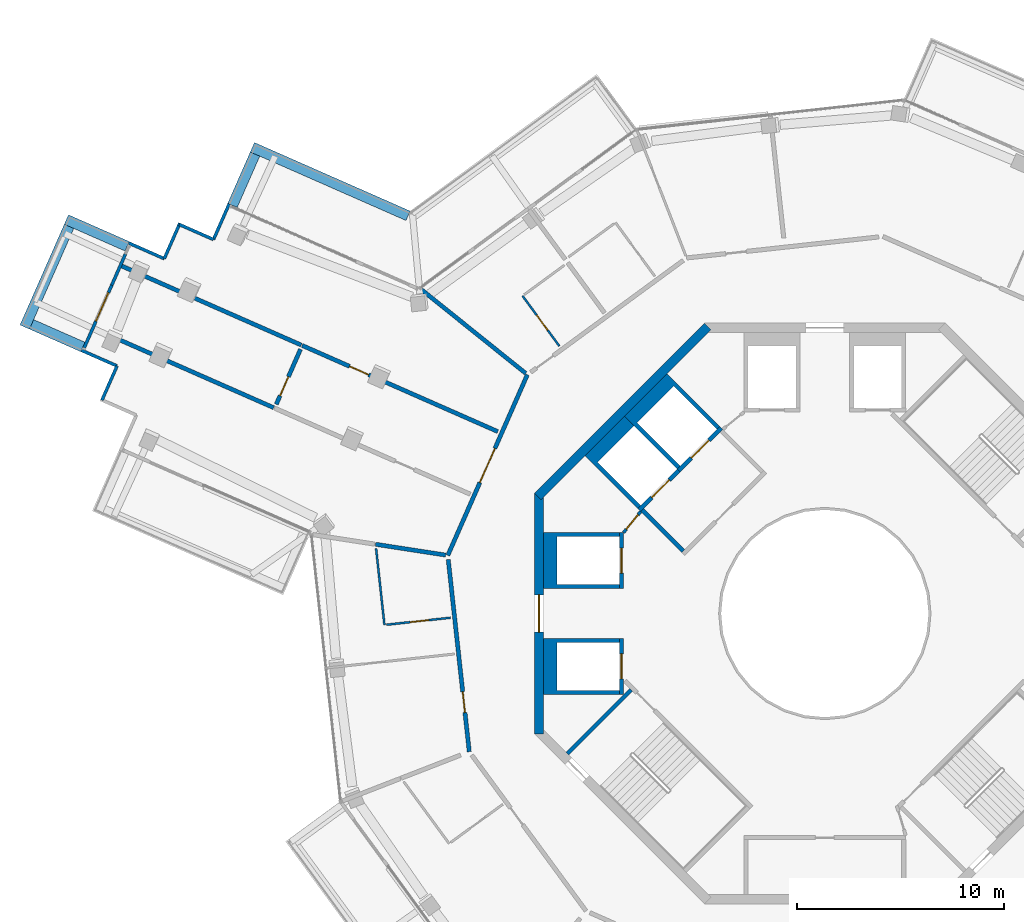
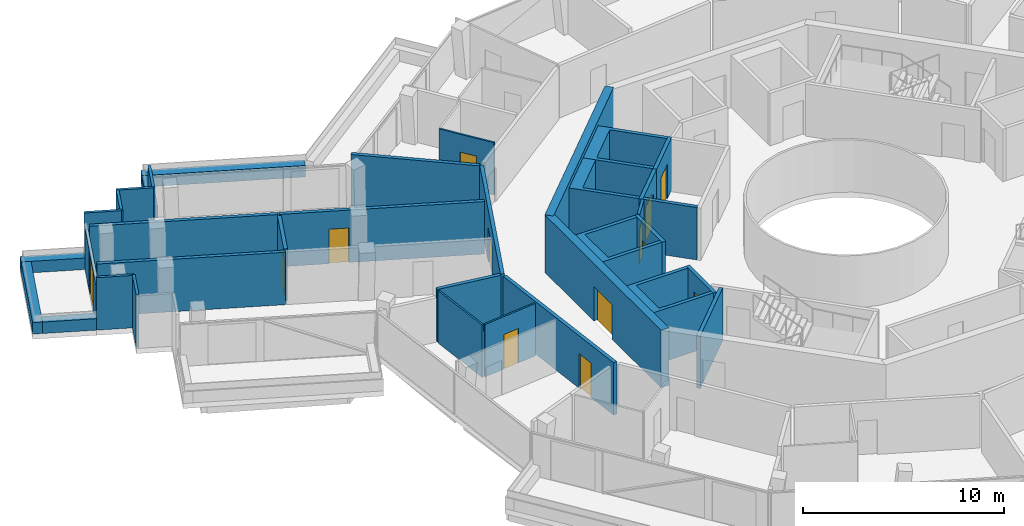
# One storey, part 18 of 24: 37 walls, 13 doors, 13 openings.
"""IFC4 building model written with IfcOpenShell, lengths in metres."""

from ifc_helpers import new_model, si_unit, direction, frame, frame_2d, origin, place, context, subcontext, project, spatial, polyline, rectangle, outline, extrude, material, layer, layer_set, type_object, element, fill, save


model = new_model("IFC4")

# Units and contexts
model_context = context("Model", 3, precision=1e-05, world=origin(), true_north=direction((0.0, 1.0)))
body_context = subcontext(model_context, "Body", "Model", "MODEL_VIEW")
ifc_project = project(units=[si_unit("LENGTHUNIT", "METRE"), si_unit("AREAUNIT", "SQUARE_METRE"), si_unit("VOLUMEUNIT", "CUBIC_METRE"), si_unit("PLANEANGLEUNIT", "RADIAN"), si_unit("MASSUNIT", "GRAM", prefix="KILO")], contexts=[model_context])

# Site, building, storey
site_placement = place(None, origin())
site = spatial("IfcSite", under=ifc_project, at=site_placement, CompositionType="ELEMENT")
building_placement = place(site_placement, origin())
building = spatial("IfcBuilding", under=site, at=building_placement, Name="Verdalira Terraces Hotel", CompositionType="ELEMENT")
storey_placement = place(building_placement, frame((0.0, 0.0, 303.0)))
storey = spatial("IfcBuildingStorey", under=building, at=storey_placement, Name="L75", CompositionType="ELEMENT", Elevation=303.0)

# Walls
ifc_material_1 = material(Name="Concrete C40", Category="concrete")
ifc_layer_1 = layer(ifc_material_1, 0.5)
ifc_layer_set_1 = layer_set([ifc_layer_1], Name="Balcony planter trough with tree")
wall_type_1 = type_object("IfcWallType", Name="Balcony planter trough with tree", PredefinedType="SOLIDWALL", material=ifc_layer_set_1)
wall_1_placement = place(storey_placement, frame((-33.624023, 17.697266, 0.0), z_axis=(0.0, 0.0, 1.0), x_axis=(-0.915228366, 0.402935527, 0.0)))
element("IfcWall", 1, at=wall_1_placement, inside=storey, type_object=wall_type_1, Name="Balcony planter", PredefinedType="SOLIDWALL", context=body_context, shape_type="SweptSolid", body=[
    extrude(rectangle(XDim=3.199219, YDim=0.5, at=frame_2d((1.599609, 0.0))), origin(), (0.0, 0.0, 1.0), 0.699951),
])
wall_2_placement = place(storey_placement, frame((-36.423828, 18.656738, 0.0), z_axis=(0.0, 0.0, 1.0), x_axis=(-0.402917674, -0.915236225, 0.0)))
element("IfcWall", 2, at=wall_2_placement, inside=storey, type_object=wall_type_1, Name="Balcony planter", PredefinedType="SOLIDWALL", context=body_context, shape_type="SweptSolid", body=[
    extrude(rectangle(XDim=5.300049, YDim=0.5, at=frame_2d((2.649902, 0.0))), origin(), (0.0, 0.0, 1.0), 0.699951),
])
wall_3_placement = place(storey_placement, frame((-38.229736, 13.934082, 0.0), z_axis=(0.0, 0.0, 1.0), x_axis=(0.91524566, -0.402896241, 0.0)))
element("IfcWall", 3, at=wall_3_placement, inside=storey, type_object=wall_type_1, Name="Balcony planter", PredefinedType="SOLIDWALL", context=body_context, shape_type="SweptSolid", body=[
    extrude(rectangle(XDim=2.698975, YDim=0.5, at=frame_2d((1.349609, 0.0))), origin(), (0.0, 0.0, 1.0), 0.699951),
])
wall_4_placement = place(storey_placement, frame((-20.085693, 19.167236, 0.0), z_axis=(0.0, 0.0, 1.0), x_axis=(-0.915239046, 0.402911267, 0.0)))
element("IfcWall", 4, at=wall_4_placement, inside=storey, type_object=wall_type_1, Name="Balcony planter", PredefinedType="SOLIDWALL", context=body_context, shape_type="SweptSolid", body=[
    extrude(rectangle(XDim=8.197754, YDim=0.5, at=frame_2d((4.098877, 0.0))), origin(), (0.0, 0.0, 1.0), 0.699951),
])
wall_5_placement = place(storey_placement, frame((-27.460449, 22.140625, 0.0), z_axis=(0.0, 0.0, 1.0), x_axis=(-0.402896241, -0.91524566, 0.0)))
element("IfcWall", 5, at=wall_5_placement, inside=storey, type_object=wall_type_1, Name="Balcony planter", PredefinedType="SOLIDWALL", context=body_context, shape_type="SweptSolid", body=[
    extrude(rectangle(XDim=2.698975, YDim=0.5, at=frame_2d((1.349609, 0.0))), origin(), (0.0, 0.0, 1.0), 0.699951),
])
ifc_material_2 = material(Name="Moisture-resistant gypsum board partition")
ifc_layer_2 = layer(ifc_material_2, 0.10009765625)
ifc_layer_set_2 = layer_set([ifc_layer_2], Name="Bathroom partition 100 mm")
wall_type_2 = type_object("IfcWallType", Name="Bathroom partition 100 mm", PredefinedType="PARTITIONING", material=ifc_layer_set_2)
wall_6_placement = place(storey_placement, frame((-21.626709, 3.130127, 0.0), z_axis=(0.0, 0.0, 1.0), x_axis=(0.108687919, -0.994075921, 0.0)))
element("IfcWall", 6, at=wall_6_placement, inside=storey, type_object=wall_type_2, Name="Bathroom partition", PredefinedType="PARTITIONING", context=body_context, shape_type="SweptSolid", body=[
    extrude(rectangle(XDim=3.704102, YDim=0.100098, at=frame_2d((1.852051, 0.0))), origin(), (0.0, 0.0, 1.0), 3.189941),
])

# Wall, opening, door
wall_7_placement = place(storey_placement, frame((-21.124756, -0.541016, 0.0), z_axis=(0.0, 0.0, 1.0), x_axis=(0.994076213, 0.108685246, 0.0)))
wall_7 = element("IfcWall", 7, at=wall_7_placement, inside=storey, type_object=wall_type_2, Name="Bathroom partition", PredefinedType="PARTITIONING", context=body_context, shape_type="SweptSolid", body=[
    extrude(rectangle(XDim=3.099854, YDim=0.100098, at=frame_2d((1.549805, 0.0))), origin(), (0.0, 0.0, 1.0), 3.189941),
])
opening_1_placement = place(wall_7_placement, frame((1.149902, 0.0, 0.0)))
opening_1 = element("IfcOpeningElement", 8, at=opening_1_placement, cuts=wall_7, Name="Opening L75-107", PredefinedType="OPENING", context=body_context, shape_type="SweptSolid", body=[
    extrude(rectangle(XDim=0.899902, YDim=2.100098, at=frame_2d((0.449951, 1.050049))), frame((0.0, 0.060059, 0.0), z_axis=(0.0, -1.0, 0.0), x_axis=(1.0, 0.0, 0.0)), (0.0, 0.0, 1.0), 0.120117),
])
ifc_material_3 = material(Name="Timber door", Category="wood")
door_type_1 = type_object("IfcDoorType", Name="Bathroom door 900 x 2100", OperationType="NOTDEFINED", PredefinedType="DOOR", material=ifc_material_3)
door_1_placement = place(opening_1_placement, origin())
door_1 = element("IfcDoor", 9, at=door_1_placement, inside=storey, type_object=door_type_1, Name="Bathroom door 7502", OperationType="SINGLE_SWING_LEFT", OverallHeight=2.10009765625, OverallWidth=0.89990234375, PredefinedType="DOOR", context=body_context, shape_type="SweptSolid", body=[
    extrude(rectangle(XDim=0.899902, YDim=2.100098, at=frame_2d((0.449951, 1.050049))), frame((0.0, 0.024902, 0.0), z_axis=(0.0, -1.0, 0.0), x_axis=(1.0, 0.0, 0.0)), (0.0, 0.0, 1.0), 0.050049),
])
fill(opening_1, door_1)

wall_8_placement = place(storey_placement, frame((-14.567627, 15.307617, 0.0), z_axis=(0.0, 0.0, 1.0), x_axis=(0.591187235, -0.806534347, 0.0)))
wall_8 = element("IfcWall", 10, at=wall_8_placement, inside=storey, type_object=wall_type_2, Name="Bathroom partition", PredefinedType="PARTITIONING", context=body_context, shape_type="SweptSolid", body=[
    extrude(rectangle(XDim=2.999756, YDim=0.100098, at=frame_2d((1.5, 0.0))), origin(), (0.0, 0.0, 1.0), 3.189941),
])
opening_2_placement = place(wall_8_placement, frame((1.149902, 0.0, 0.0)))
opening_2 = element("IfcOpeningElement", 11, at=opening_2_placement, cuts=wall_8, Name="Opening L75-133", PredefinedType="OPENING", context=body_context, shape_type="SweptSolid", body=[
    extrude(rectangle(XDim=0.899902, YDim=2.100098, at=frame_2d((0.449951, 1.050049))), frame((0.0, 0.060059, 0.0), z_axis=(0.0, -1.0, 0.0), x_axis=(1.0, 0.0, 0.0)), (0.0, 0.0, 1.0), 0.120117),
])
door_2_placement = place(opening_2_placement, origin())
door_2 = element("IfcDoor", 12, at=door_2_placement, inside=storey, type_object=door_type_1, Name="Bathroom door 7513", OperationType="SINGLE_SWING_LEFT", OverallHeight=2.10009765625, OverallWidth=0.89990234375, PredefinedType="DOOR", context=body_context, shape_type="SweptSolid", body=[
    extrude(rectangle(XDim=0.899902, YDim=2.100098, at=frame_2d((0.449951, 1.050049))), frame((0.0, 0.024902, 0.0), z_axis=(0.0, -1.0, 0.0), x_axis=(1.0, 0.0, 0.0)), (0.0, 0.0, 1.0), 0.050049),
])
fill(opening_2, door_2)

# Wall
ifc_material_4 = material(Name="Concrete C50", Category="concrete")
ifc_layer_3 = layer(ifc_material_4, 0.199951171875)
ifc_layer_set_3 = layer_set([ifc_layer_3], Name="Core RC wall 200 C50")
wall_type_3 = type_object("IfcWallType", Name="Core RC wall 200 C50", PredefinedType="SOLIDWALL", material=ifc_layer_set_3)
wall_9_placement = place(storey_placement, origin())
element("IfcWall", 13, at=wall_9_placement, inside=storey, type_object=wall_type_3, Name="L75 shaft wall W1", PredefinedType="SOLIDWALL", context=body_context, shape_type="SweptSolid", body=[
    extrude(outline(polyline([(-13.550049, 3.899902), (-9.899902, 3.899902), (-9.899902, 3.699951), (-12.899902, 3.699951), (-12.899902, 1.399902), (-9.899902, 1.399902), (-9.899902, 1.199951), (-13.550049, 1.199951), (-13.550049, 3.899902)])), origin(), (0.0, 0.0, 1.0), 3.189941),
])

# Wall, opening, door
wall_10_placement = place(storey_placement, frame((-9.800049, 1.199951, 0.0), z_axis=(0.0, 0.0, 1.0), x_axis=(0.0, 1.0, 0.0)))
wall_10 = element("IfcWall", 14, at=wall_10_placement, inside=storey, type_object=wall_type_3, Name="L75 shaft front wall W1", PredefinedType="SOLIDWALL", context=body_context, shape_type="SweptSolid", body=[
    extrude(rectangle(XDim=2.699951, YDim=0.199951, at=frame_2d((1.350098, 0.0))), origin(), (0.0, 0.0, 1.0), 3.189941),
])
opening_3_placement = place(wall_10_placement, frame((0.75, 0.0, 0.0)))
opening_3 = element("IfcOpeningElement", 15, at=opening_3_placement, cuts=wall_10, Name="Opening LD-L75-806", PredefinedType="OPENING", context=body_context, shape_type="SweptSolid", body=[
    extrude(rectangle(XDim=1.199951, YDim=2.100098, at=frame_2d((0.600098, 1.050049))), frame((0.0, 0.109863, 0.0), z_axis=(0.0, -1.0, 0.0), x_axis=(1.0, 0.0, 0.0)), (0.0, 0.0, 1.0), 0.219971),
])
ifc_material_5 = material(Name="Stainless steel", Category="steel")
door_type_2 = type_object("IfcDoorType", Name="Landing door 1200 x 2100", OperationType="NOTDEFINED", PredefinedType="DOOR", material=ifc_material_5)
door_3_placement = place(opening_3_placement, origin())
door_3 = element("IfcDoor", 16, at=door_3_placement, inside=storey, type_object=door_type_2, Name="Lift landing door HR5 L75", OperationType="DOUBLE_DOOR_SLIDING", OverallHeight=2.10009765625, OverallWidth=1.199951171875, PredefinedType="DOOR", context=body_context, shape_type="SweptSolid", body=[
    extrude(rectangle(XDim=1.199951, YDim=2.100098, at=frame_2d((0.600098, 1.050049))), frame((0.0, 0.024902, 0.0), z_axis=(0.0, -1.0, 0.0), x_axis=(1.0, 0.0, 0.0)), (0.0, 0.0, 1.0), 0.050049),
])
fill(opening_3, door_3)

# Wall
wall_11_placement = place(storey_placement, origin())
element("IfcWall", 17, at=wall_11_placement, inside=storey, type_object=wall_type_3, Name="L75 shaft wall W2", PredefinedType="SOLIDWALL", context=body_context, shape_type="SweptSolid", body=[
    extrude(outline(polyline([(-13.550049, -3.899902), (-13.550049, -1.199951), (-9.899902, -1.199951), (-9.899902, -1.399902), (-12.899902, -1.399902), (-12.899902, -3.699951), (-9.899902, -3.699951), (-9.899902, -3.899902), (-13.550049, -3.899902)])), origin(), (0.0, 0.0, 1.0), 3.189941),
])

# Wall, opening, door
wall_12_placement = place(storey_placement, frame((-9.800049, -1.199951, 0.0), z_axis=(0.0, 0.0, 1.0), x_axis=(0.0, -1.0, 0.0)))
wall_12 = element("IfcWall", 18, at=wall_12_placement, inside=storey, type_object=wall_type_3, Name="L75 shaft front wall W2", PredefinedType="SOLIDWALL", context=body_context, shape_type="SweptSolid", body=[
    extrude(rectangle(XDim=2.699951, YDim=0.199951, at=frame_2d((1.350098, 0.0))), origin(), (0.0, 0.0, 1.0), 3.189941),
])
opening_4_placement = place(wall_12_placement, frame((0.75, 0.0, 0.0)))
opening_4 = element("IfcOpeningElement", 19, at=opening_4_placement, cuts=wall_12, Name="Opening LD-L75-807", PredefinedType="OPENING", context=body_context, shape_type="SweptSolid", body=[
    extrude(rectangle(XDim=1.199951, YDim=2.100098, at=frame_2d((0.600098, 1.050049))), frame((0.0, 0.109863, 0.0), z_axis=(0.0, -1.0, 0.0), x_axis=(1.0, 0.0, 0.0)), (0.0, 0.0, 1.0), 0.219971),
])
door_4_placement = place(opening_4_placement, origin())
door_4 = element("IfcDoor", 20, at=door_4_placement, inside=storey, type_object=door_type_2, Name="Lift landing door HR6 L75", OperationType="DOUBLE_DOOR_SLIDING", OverallHeight=2.10009765625, OverallWidth=1.199951171875, PredefinedType="DOOR", context=body_context, shape_type="SweptSolid", body=[
    extrude(rectangle(XDim=1.199951, YDim=2.100098, at=frame_2d((0.600098, 1.050049))), frame((0.0, 0.024902, 0.0), z_axis=(0.0, -1.0, 0.0), x_axis=(1.0, 0.0, 0.0)), (0.0, 0.0, 1.0), 0.050049),
])
fill(opening_4, door_4)

# Wall
wall_13_placement = place(storey_placement, origin())
element("IfcWall", 21, at=wall_13_placement, inside=storey, type_object=wall_type_3, Name="L75 shaft wall F1", PredefinedType="SOLIDWALL", context=body_context, shape_type="SweptSolid", body=[
    extrude(outline(polyline([(-9.6521, 9.510498), (-7.601318, 11.561279), (-5.055908, 9.015625), (-5.197266, 8.874268), (-7.283203, 10.960205), (-9.051025, 9.192383), (-6.965088, 7.106445), (-7.106445, 6.965088), (-9.6521, 9.510498)])), origin(), (0.0, 0.0, 1.0), 3.189941),
])

# Wall, opening, door
wall_14_placement = place(storey_placement, frame((-4.985107, 8.944824, 0.0), z_axis=(0.0, 0.0, 1.0), x_axis=(-0.707106781, -0.707106781, 0.0)))
wall_14 = element("IfcWall", 22, at=wall_14_placement, inside=storey, type_object=wall_type_3, Name="L75 shaft front wall F1", PredefinedType="SOLIDWALL", context=body_context, shape_type="SweptSolid", body=[
    extrude(rectangle(XDim=2.899902, YDim=0.199951, at=frame_2d((1.449951, 0.0))), origin(), (0.0, 0.0, 1.0), 3.189941),
])
opening_5_placement = place(wall_14_placement, frame((0.850098, 0.0, 0.0)))
opening_5 = element("IfcOpeningElement", 23, at=opening_5_placement, cuts=wall_14, Name="Opening LD-L75-808", PredefinedType="OPENING", context=body_context, shape_type="SweptSolid", body=[
    extrude(rectangle(XDim=1.199951, YDim=2.100098, at=frame_2d((0.600098, 1.050049))), frame((0.0, 0.109863, 0.0), z_axis=(0.0, -1.0, 0.0), x_axis=(1.0, 0.0, 0.0)), (0.0, 0.0, 1.0), 0.219971),
])
door_5_placement = place(opening_5_placement, origin())
door_5 = element("IfcDoor", 24, at=door_5_placement, inside=storey, type_object=door_type_2, Name="Lift landing door LF11 L75", OperationType="DOUBLE_DOOR_SLIDING", OverallHeight=2.10009765625, OverallWidth=1.199951171875, PredefinedType="DOOR", context=body_context, shape_type="SweptSolid", body=[
    extrude(rectangle(XDim=1.199951, YDim=2.100098, at=frame_2d((0.600098, 1.050049))), frame((0.0, 0.024902, 0.0), z_axis=(0.0, -1.0, 0.0), x_axis=(1.0, 0.0, 0.0)), (0.0, 0.0, 1.0), 0.050049),
])
fill(opening_5, door_5)

# Wall
wall_15_placement = place(storey_placement, origin())
element("IfcWall", 25, at=wall_15_placement, inside=storey, type_object=wall_type_3, Name="L75 shaft wall F2", PredefinedType="SOLIDWALL", context=body_context, shape_type="SweptSolid", body=[
    extrude(outline(polyline([(-11.561279, 7.601318), (-9.6521, 9.510498), (-9.192383, 9.051025), (-10.960205, 7.283203), (-8.874268, 5.197266), (-9.015625, 5.055908), (-11.561279, 7.601318)])), origin(), (0.0, 0.0, 1.0), 3.189941),
])

# Wall, opening, door
wall_16_placement = place(storey_placement, frame((-7.035645, 6.894287, 0.0), z_axis=(0.0, 0.0, 1.0), x_axis=(-0.707106781, -0.707106781, 0.0)))
wall_16 = element("IfcWall", 26, at=wall_16_placement, inside=storey, type_object=wall_type_3, Name="L75 shaft front wall F2", PredefinedType="SOLIDWALL", context=body_context, shape_type="SweptSolid", body=[
    extrude(rectangle(XDim=2.699951, YDim=0.199951, at=frame_2d((1.350098, 0.0))), origin(), (0.0, 0.0, 1.0), 3.189941),
])
opening_6_placement = place(wall_16_placement, frame((0.649902, 0.0, 0.0)))
opening_6 = element("IfcOpeningElement", 27, at=opening_6_placement, cuts=wall_16, Name="Opening LD-L75-809", PredefinedType="OPENING", context=body_context, shape_type="SweptSolid", body=[
    extrude(rectangle(XDim=1.199951, YDim=2.100098, at=frame_2d((0.600098, 1.050049))), frame((0.0, 0.109863, 0.0), z_axis=(0.0, -1.0, 0.0), x_axis=(1.0, 0.0, 0.0)), (0.0, 0.0, 1.0), 0.219971),
])
door_6_placement = place(opening_6_placement, origin())
door_6 = element("IfcDoor", 28, at=door_6_placement, inside=storey, type_object=door_type_2, Name="Lift landing door LF12 L75", OperationType="DOUBLE_DOOR_SLIDING", OverallHeight=2.10009765625, OverallWidth=1.199951171875, PredefinedType="DOOR", context=body_context, shape_type="SweptSolid", body=[
    extrude(rectangle(XDim=1.199951, YDim=2.100098, at=frame_2d((0.600098, 1.050049))), frame((0.0, 0.024902, 0.0), z_axis=(0.0, -1.0, 0.0), x_axis=(1.0, 0.0, 0.0)), (0.0, 0.0, 1.0), 0.050049),
])
fill(opening_6, door_6)

# Walls
wall_17_placement = place(storey_placement, frame((-9.33374, -3.677002, 0.0), z_axis=(0.0, 0.0, 1.0), x_axis=(-0.707106781, -0.707106781, 0.0)))
element("IfcWall", 29, at=wall_17_placement, inside=storey, type_object=wall_type_3, Name="L75 stair ST2 end wall 1", PredefinedType="SOLIDWALL", context=body_context, shape_type="SweptSolid", body=[
    extrude(rectangle(XDim=4.350098, YDim=0.199951, at=frame_2d((2.175049, 0.0))), origin(), (0.0, 0.0, 1.0), 3.189941),
])
wall_18_placement = place(storey_placement, frame((-6.823486, 3.005127, 0.0), z_axis=(0.0, 0.0, 1.0), x_axis=(-0.707106781, 0.707106781, 0.0)))
element("IfcWall", 30, at=wall_18_placement, inside=storey, type_object=wall_type_3, Name="L75 fire lobby wall", PredefinedType="SOLIDWALL", context=body_context, shape_type="SweptSolid", body=[
    extrude(rectangle(XDim=2.800049, YDim=0.199951, at=frame_2d((1.399902, 0.0))), origin(), (0.0, 0.0, 1.0), 3.189941),
])

# Wall, opening, door
ifc_material_6 = material(Name="Gypsum board partition")
ifc_layer_4 = layer(ifc_material_6, 0.14990234375)
ifc_layer_set_4 = layer_set([ifc_layer_4], Name="Core partition 150 mm")
wall_type_4 = type_object("IfcWallType", Name="Core partition 150 mm", PredefinedType="PARTITIONING", material=ifc_layer_set_4)
wall_19_placement = place(storey_placement, frame((-8.874268, 4.914307, 0.0), z_axis=(0.0, 0.0, 1.0), x_axis=(-0.631274009, -0.775559878, 0.0)))
wall_19 = element("IfcWall", 31, at=wall_19_placement, inside=storey, type_object=wall_type_4, Name="Room partition L75", PredefinedType="PARTITIONING", context=body_context, shape_type="SweptSolid", body=[
    extrude(rectangle(XDim=1.307861, YDim=0.149902, at=frame_2d((0.653809, 0.0))), origin(), (0.0, 0.0, 1.0), 3.189941),
])
opening_7_placement = place(wall_19_placement, frame((0.204102, 0.0, 0.0)))
opening_7 = element("IfcOpeningElement", 32, at=opening_7_placement, cuts=wall_19, Name="Opening L75-821", PredefinedType="OPENING", context=body_context, shape_type="SweptSolid", body=[
    extrude(rectangle(XDim=0.899902, YDim=2.100098, at=frame_2d((0.449951, 1.050049))), frame((0.0, 0.084961, 0.0), z_axis=(0.0, -1.0, 0.0), x_axis=(1.0, 0.0, 0.0)), (0.0, 0.0, 1.0), 0.169922),
])
ifc_material_7 = material(Name="Steel fire door", Category="steel")
door_type_3 = type_object("IfcDoorType", Name="Core room door 900 x 2100", OperationType="NOTDEFINED", PredefinedType="DOOR", material=ifc_material_7)
door_7_placement = place(opening_7_placement, origin())
door_7 = element("IfcDoor", 33, at=door_7_placement, inside=storey, type_object=door_type_3, Name="Door L75 room3", OperationType="SINGLE_SWING_LEFT", OverallHeight=2.10009765625, OverallWidth=0.89990234375, PredefinedType="DOOR", context=body_context, shape_type="SweptSolid", body=[
    extrude(rectangle(XDim=0.899902, YDim=2.100098, at=frame_2d((0.449951, 1.050049))), frame((0.0, 0.024902, 0.0), z_axis=(0.0, -1.0, 0.0), x_axis=(1.0, 0.0, 0.0)), (0.0, 0.0, 1.0), 0.050049),
])
fill(opening_7, door_7)

# Wall
ifc_material_8 = material(Name="Concrete C50", Category="concrete")
ifc_layer_5 = layer(ifc_material_8, 0.449951171875)
ifc_layer_set_5 = layer_set([ifc_layer_5], Name="Core wall 450 C50")
wall_type_5 = type_object("IfcWallType", Name="Core wall 450 C50", PredefinedType="SHEAR", material=ifc_layer_set_5)
wall_20_placement = place(storey_placement, frame((-5.639893, 13.84082, 0.0), z_axis=(0.0, 0.0, 1.0), x_axis=(-0.707106781, -0.707106781, 0.0)))
element("IfcWall", 34, at=wall_20_placement, inside=storey, type_object=wall_type_5, Name="Core wall CW-L75-4", PredefinedType="SHEAR", context=body_context, shape_type="SweptSolid", body=[
    extrude(rectangle(XDim=11.5979, YDim=0.449951, at=frame_2d((5.798828, 0.0))), origin(), (0.0, 0.0, 1.0), 3.5),
])

# Wall, opening, door
wall_21_placement = place(storey_placement, frame((-13.774902, 5.799072, 0.0), z_axis=(0.0, 0.0, 1.0), x_axis=(0.0, -1.0, 0.0)))
wall_21 = element("IfcWall", 35, at=wall_21_placement, inside=storey, type_object=wall_type_5, Name="Core wall CW-L75-5", PredefinedType="SHEAR", context=body_context, shape_type="SweptSolid", body=[
    extrude(rectangle(XDim=11.598145, YDim=0.449951, at=frame_2d((5.799072, 0.0))), origin(), (0.0, 0.0, 1.0), 3.5),
])
opening_8_placement = place(wall_21_placement, frame((4.898926, 0.0, 0.0)))
opening_8 = element("IfcOpeningElement", 36, at=opening_8_placement, cuts=wall_21, Name="Opening L75-815", PredefinedType="OPENING", context=body_context, shape_type="SweptSolid", body=[
    extrude(rectangle(XDim=1.800049, YDim=2.100098, at=frame_2d((0.899902, 1.050049))), frame((0.0, 0.234863, 0.0), z_axis=(0.0, -1.0, 0.0), x_axis=(1.0, 0.0, 0.0)), (0.0, 0.0, 1.0), 0.469971),
])
ifc_material_9 = material(Name="Steel fire door", Category="steel")
door_type_4 = type_object("IfcDoorType", Name="Core entry door pair 1800 x 2100", OperationType="NOTDEFINED", PredefinedType="DOOR", material=ifc_material_9)
door_8_placement = place(opening_8_placement, origin())
door_8 = element("IfcDoor", 37, at=door_8_placement, inside=storey, type_object=door_type_4, Name="Core entry door L75 4", OperationType="DOUBLE_DOOR_SINGLE_SWING", OverallHeight=2.10009765625, OverallWidth=1.800048828125, PredefinedType="DOOR", context=body_context, shape_type="SweptSolid", body=[
    extrude(rectangle(XDim=1.800049, YDim=2.100098, at=frame_2d((0.899902, 1.050049))), frame((0.0, 0.024902, 0.0), z_axis=(0.0, -1.0, 0.0), x_axis=(1.0, 0.0, 0.0)), (0.0, 0.0, 1.0), 0.050049),
])
fill(opening_8, door_8)

# Walls
ifc_material_10 = material(Name="Fire-rated gypsum board wall")
ifc_layer_6 = layer(ifc_material_10, 0.199951171875)
ifc_layer_set_6 = layer_set([ifc_layer_6], Name="Demising wall 200 mm")
wall_type_6 = type_object("IfcWallType", Name="Demising wall 200 mm", PredefinedType="SOLIDWALL", material=ifc_layer_set_6)
for number, where, z_axis, x_axis, name in (
    (38, (-35.207764, 13.725098, 0.0), (0.0, 0.0, 1.0), (0.915239186, -0.402910948, 0.0), "Demising wall"),
    (39, (-25.232666, 12.937012, 0.0), (0.0, 0.0, 1.0), (-0.915239186, 0.402910948, 0.0), "Demising wall"),
):
    element("IfcWall", number, at=place(storey_placement, frame(where, z_axis=z_axis, x_axis=x_axis)), inside=storey, type_object=wall_type_6, Name=name, PredefinedType="SOLIDWALL", context=body_context, shape_type="SweptSolid", body=[
        extrude(rectangle(XDim=9.447266, YDim=0.199951, at=frame_2d((4.723633, 0.0))), origin(), (0.0, 0.0, 1.0), 3.189941),
    ])

# Wall, opening, door
wall_22_placement = place(storey_placement, frame((-26.436768, 10.08252, 0.0), z_axis=(0.0, 0.0, 1.0), x_axis=(0.402899548, 0.915244205, 0.0)))
wall_22 = element("IfcWall", 40, at=wall_22_placement, inside=storey, type_object=wall_type_6, Name="Demising wall", PredefinedType="SOLIDWALL", context=body_context, shape_type="SweptSolid", body=[
    extrude(rectangle(XDim=2.897705, YDim=0.199951, at=frame_2d((1.44873, 0.0))), origin(), (0.0, 0.0, 1.0), 3.189941),
])
opening_9_placement = place(wall_22_placement, frame((0.449951, 0.0, 0.0)))
opening_9 = element("IfcOpeningElement", 41, at=opening_9_placement, cuts=wall_22, Name="Opening L75-104", PredefinedType="OPENING", context=body_context, shape_type="SweptSolid", body=[
    extrude(rectangle(XDim=1.0, YDim=2.100098, at=frame_2d((0.5, 1.050049))), frame((0.0, 0.109863, 0.0), z_axis=(0.0, -1.0, 0.0), x_axis=(1.0, 0.0, 0.0)), (0.0, 0.0, 1.0), 0.219971),
])
ifc_material_11 = material(Name="Timber fire door", Category="wood")
door_type_5 = type_object("IfcDoorType", Name="Public room door 1000 x 2100", OperationType="NOTDEFINED", PredefinedType="DOOR", material=ifc_material_11)
door_9_placement = place(opening_9_placement, origin())
door_9 = element("IfcDoor", 42, at=door_9_placement, inside=storey, type_object=door_type_5, Name="Public room door 7501", OperationType="SINGLE_SWING_LEFT", OverallHeight=2.10009765625, OverallWidth=1.0, PredefinedType="DOOR", context=body_context, shape_type="SweptSolid", body=[
    extrude(rectangle(XDim=1.0, YDim=2.100098, at=frame_2d((0.5, 1.050049))), frame((0.0, 0.024902, 0.0), z_axis=(0.0, -1.0, 0.0), x_axis=(1.0, 0.0, 0.0)), (0.0, 0.0, 1.0), 0.050049),
])
fill(opening_9, door_9)

wall_23_placement = place(storey_placement, frame((-25.19043, 12.918701, 0.0), z_axis=(0.0, 0.0, 1.0), x_axis=(0.915234643, -0.402921269, 0.0)))
wall_23 = element("IfcWall", 43, at=wall_23_placement, inside=storey, type_object=wall_type_6, Name="Demising wall", PredefinedType="SOLIDWALL", context=body_context, shape_type="SweptSolid", body=[
    extrude(rectangle(XDim=10.302002, YDim=0.199951, at=frame_2d((5.150879, 0.0))), origin(), (0.0, 0.0, 1.0), 3.189941),
])
opening_10_placement = place(wall_23_placement, frame((2.5, 0.0, 0.0)))
opening_10 = element("IfcOpeningElement", 44, at=opening_10_placement, cuts=wall_23, Name="Opening L75-102", PredefinedType="OPENING", context=body_context, shape_type="SweptSolid", body=[
    extrude(rectangle(XDim=1.0, YDim=2.100098, at=frame_2d((0.5, 1.050049))), frame((0.0, 0.109863, 0.0), z_axis=(0.0, -1.0, 0.0), x_axis=(1.0, 0.0, 0.0)), (0.0, 0.0, 1.0), 0.219971),
])
door_10_placement = place(opening_10_placement, origin())
door_10 = element("IfcDoor", 45, at=door_10_placement, inside=storey, type_object=door_type_5, Name="Public room door 7501", OperationType="SINGLE_SWING_LEFT", OverallHeight=2.10009765625, OverallWidth=1.0, PredefinedType="DOOR", context=body_context, shape_type="SweptSolid", body=[
    extrude(rectangle(XDim=1.0, YDim=2.100098, at=frame_2d((0.5, 1.050049))), frame((0.0, 0.024902, 0.0), z_axis=(0.0, -1.0, 0.0), x_axis=(1.0, 0.0, 0.0)), (0.0, 0.0, 1.0), 0.050049),
])
fill(opening_10, door_10)

# Walls
wall_24_placement = place(storey_placement, frame((-18.272705, 2.815674, 0.0), z_axis=(0.0, 0.0, 1.0), x_axis=(-0.988338647, 0.15227186, 0.0)))
element("IfcWall", 46, at=wall_24_placement, inside=storey, type_object=wall_type_6, Name="Demising wall", PredefinedType="SOLIDWALL", context=body_context, shape_type="SweptSolid", body=[
    extrude(rectangle(XDim=3.418213, YDim=0.199951, at=frame_2d((1.708984, 0.0))), origin(), (0.0, 0.0, 1.0), 3.189941),
])
wall_25_placement = place(storey_placement, frame((-19.466309, 15.628906, 0.0), z_axis=(0.0, 0.0, 1.0), x_axis=(0.779771517, -0.626064199, 0.0)))
element("IfcWall", 47, at=wall_25_placement, inside=storey, type_object=wall_type_6, Name="Demising wall", PredefinedType="SOLIDWALL", context=body_context, shape_type="SweptSolid", body=[
    extrude(rectangle(XDim=6.475586, YDim=0.199951, at=frame_2d((3.237793, 0.0))), origin(), (0.0, 0.0, 1.0), 3.189941),
])

# Wall, opening, door
ifc_material_12 = material(Name="Fire-rated gypsum board wall")
ifc_layer_7 = layer(ifc_material_12, 0.199951171875)
ifc_layer_set_7 = layer_set([ifc_layer_7], Name="Guest corridor wall 200 mm")
wall_type_7 = type_object("IfcWallType", Name="Guest corridor wall 200 mm", PredefinedType="SOLIDWALL", material=ifc_layer_set_7)
wall_26_placement = place(storey_placement, frame((-17.135986, -6.6604, 0.0), z_axis=(0.0, 0.0, 1.0), x_axis=(-0.108697055, 0.994074922, 0.0)))
wall_26 = element("IfcWall", 48, at=wall_26_placement, inside=storey, type_object=wall_type_7, Name="Guest corridor wall", PredefinedType="SOLIDWALL", context=body_context, shape_type="SweptSolid", body=[
    extrude(rectangle(XDim=9.31665, YDim=0.199951, at=frame_2d((4.658203, 0.0))), origin(), (0.0, 0.0, 1.0), 3.189941),
])
opening_11_placement = place(wall_26_placement, frame((1.899902, 0.0, 0.0)))
opening_11 = element("IfcOpeningElement", 49, at=opening_11_placement, cuts=wall_26, Name="Opening L75-105", PredefinedType="OPENING", context=body_context, shape_type="SweptSolid", body=[
    extrude(rectangle(XDim=1.0, YDim=2.100098, at=frame_2d((0.5, 1.050049))), frame((0.0, 0.109863, 0.0), z_axis=(0.0, -1.0, 0.0), x_axis=(1.0, 0.0, 0.0)), (0.0, 0.0, 1.0), 0.219971),
])
ifc_material_13 = material(Name="Timber fire door", Category="wood")
door_type_6 = type_object("IfcDoorType", Name="Guest entry door 1000 x 2100", OperationType="NOTDEFINED", PredefinedType="DOOR", material=ifc_material_13)
door_11_placement = place(opening_11_placement, origin())
door_11 = element("IfcDoor", 50, at=door_11_placement, inside=storey, type_object=door_type_6, Name="Guest entry door 7502", OperationType="SINGLE_SWING_LEFT", OverallHeight=2.10009765625, OverallWidth=1.0, PredefinedType="DOOR", context=body_context, shape_type="SweptSolid", body=[
    extrude(rectangle(XDim=1.0, YDim=2.100098, at=frame_2d((0.5, 1.050049))), frame((0.0, 0.024902, 0.0), z_axis=(0.0, -1.0, 0.0), x_axis=(1.0, 0.0, 0.0)), (0.0, 0.0, 1.0), 0.050049),
])
fill(opening_11, door_11)

wall_27_placement = place(storey_placement, frame((-18.17041, 2.799805, 0.0), z_axis=(0.0, 0.0, 1.0), x_axis=(0.402913126, 0.915238227, 0.0)))
wall_27 = element("IfcWall", 51, at=wall_27_placement, inside=storey, type_object=wall_type_7, Name="Guest corridor wall", PredefinedType="SOLIDWALL", context=body_context, shape_type="SweptSolid", body=[
    extrude(rectangle(XDim=9.516846, YDim=0.199951, at=frame_2d((4.758301, 0.0))), origin(), (0.0, 0.0, 1.0), 3.189941),
])
opening_12_placement = place(wall_27_placement, frame((3.834717, 0.0, 0.0)))
opening_12 = element("IfcOpeningElement", 52, at=opening_12_placement, cuts=wall_27, Name="Opening L75-101", PredefinedType="OPENING", context=body_context, shape_type="SweptSolid", body=[
    extrude(rectangle(XDim=1.800049, YDim=2.100098, at=frame_2d((0.899902, 1.050049))), frame((0.0, 0.109863, 0.0), z_axis=(0.0, -1.0, 0.0), x_axis=(1.0, 0.0, 0.0)), (0.0, 0.0, 1.0), 0.219971),
])
ifc_material_14 = material(Name="Timber fire door", Category="wood")
door_type_7 = type_object("IfcDoorType", Name="Public room double door 1800 x 2100", OperationType="NOTDEFINED", PredefinedType="DOOR", material=ifc_material_14)
door_12_placement = place(opening_12_placement, origin())
door_12 = element("IfcDoor", 53, at=door_12_placement, inside=storey, type_object=door_type_7, Name="Public room double door 7501", OperationType="DOUBLE_DOOR_SINGLE_SWING", OverallHeight=2.10009765625, OverallWidth=1.800048828125, PredefinedType="DOOR", context=body_context, shape_type="SweptSolid", body=[
    extrude(rectangle(XDim=1.800049, YDim=2.100098, at=frame_2d((0.899902, 1.050049))), frame((0.0, 0.024902, 0.0), z_axis=(0.0, -1.0, 0.0), x_axis=(1.0, 0.0, 0.0)), (0.0, 0.0, 1.0), 0.050049),
])
fill(opening_12, door_12)

# Walls
ifc_material_15 = material(Name="Terracotta cladding", Category="masonry")
ifc_layer_8 = layer(ifc_material_15, 0.14990234375)
ifc_layer_set_8 = layer_set([ifc_layer_8], Name="Terracotta clad wall 150")
wall_type_8 = type_object("IfcWallType", Name="Terracotta clad wall 150", PredefinedType="SOLIDWALL", material=ifc_layer_set_8)
wall_28_placement = place(storey_placement, frame((-28.708496, 19.73999, 0.0), z_axis=(0.0, 0.0, 1.0), x_axis=(-0.402873883, -0.915255502, 0.0)))
element("IfcWall", 54, at=wall_28_placement, inside=storey, type_object=wall_type_8, Name="Terracotta cladding wall", PredefinedType="SOLIDWALL", context=body_context, shape_type="SweptSolid", body=[
    extrude(rectangle(XDim=1.875, YDim=0.149902, at=frame_2d((0.9375, 0.0))), origin(), (0.0, 0.0, 1.0), 3.189941),
])
wall_29_placement = place(storey_placement, frame((-29.463867, 18.023926, 0.0), z_axis=(0.0, 0.0, 1.0), x_axis=(-0.915271027, 0.402838612, 0.0)))
element("IfcWall", 55, at=wall_29_placement, inside=storey, type_object=wall_type_8, Name="Terracotta cladding wall", PredefinedType="SOLIDWALL", context=body_context, shape_type="SweptSolid", body=[
    extrude(rectangle(XDim=1.800049, YDim=0.149902, at=frame_2d((0.899902, 0.0))), origin(), (0.0, 0.0, 1.0), 3.189941),
])
for number, where, z_axis, x_axis, name in (
    (56, (-31.081299, 18.817871, 0.0), (0.0, 0.0, 1.0), (-0.402873883, -0.915255502, 0.0), "Terracotta cladding wall"),
    (57, (-31.83667, 17.101807, 0.0), (0.0, 0.0, 1.0), (-0.915255502, 0.402873883, 0.0), "Terracotta cladding wall"),
    (58, (-35.829102, 12.686035, 0.0), (0.0, 0.0, 1.0), (0.915255502, -0.402873883, 0.0), "Terracotta cladding wall"),
):
    element("IfcWall", number, at=place(storey_placement, frame(where, z_axis=z_axis, x_axis=x_axis)), inside=storey, type_object=wall_type_8, Name=name, PredefinedType="SOLIDWALL", context=body_context, shape_type="SweptSolid", body=[
        extrude(rectangle(XDim=1.875, YDim=0.149902, at=frame_2d((0.9375, 0.0))), origin(), (0.0, 0.0, 1.0), 3.189941),
    ])
wall_30_placement = place(storey_placement, frame((-34.113037, 11.930664, 0.0), z_axis=(0.0, 0.0, 1.0), x_axis=(-0.402952227, -0.915221013, 0.0)))
element("IfcWall", 59, at=wall_30_placement, inside=storey, type_object=wall_type_8, Name="Terracotta cladding wall", PredefinedType="SOLIDWALL", context=body_context, shape_type="SweptSolid", body=[
    extrude(rectangle(XDim=1.800049, YDim=0.149902, at=frame_2d((0.899902, 0.0))), origin(), (0.0, 0.0, 1.0), 3.189941),
])
ifc_material_16 = material(Name="Terracotta cladding", Category="masonry")
ifc_layer_9 = layer(ifc_material_16, 0.14990234375)
ifc_layer_set_9 = layer_set([ifc_layer_9], Name="Terracotta column pier 150")
wall_type_9 = type_object("IfcWallType", Name="Terracotta column pier 150", PredefinedType="SOLIDWALL", material=ifc_layer_set_9)
wall_31_placement = place(storey_placement, frame((-33.707764, 17.319092, 0.0), z_axis=(0.0, 0.0, 1.0), x_axis=(-0.402884164, -0.915250977, 0.0)))
element("IfcWall", 60, at=wall_31_placement, inside=storey, type_object=wall_type_9, Name="Terracotta column pier", PredefinedType="SOLIDWALL", context=body_context, shape_type="SweptSolid", body=[
    extrude(rectangle(XDim=1.630127, YDim=0.149902, at=frame_2d((0.814941, 0.0))), origin(), (0.0, 0.0, 1.0), 2.524902),
])

# Wall, opening, door
ifc_material_17 = material(Name="Terracotta cladding", Category="masonry")
ifc_layer_10 = layer(ifc_material_17, 0.14990234375)
ifc_layer_set_10 = layer_set([ifc_layer_10], Name="Terracotta door pier 150")
wall_type_10 = type_object("IfcWallType", Name="Terracotta door pier 150", PredefinedType="SOLIDWALL", material=ifc_layer_set_10)
wall_32_placement = place(storey_placement, frame((-34.364502, 15.827148, 0.0), z_axis=(0.0, 0.0, 1.0), x_axis=(-0.402864671, -0.915259557, 0.0)))
wall_32 = element("IfcWall", 61, at=wall_32_placement, inside=storey, type_object=wall_type_10, Name="Terracotta door pier", PredefinedType="SOLIDWALL", context=body_context, shape_type="SweptSolid", body=[
    extrude(rectangle(XDim=3.310059, YDim=0.149902, at=frame_2d((1.655029, 0.0))), origin(), (0.0, 0.0, 1.0), 2.524902),
])
opening_13_placement = place(wall_32_placement, frame((0.399902, 0.0, 0.0)))
opening_13 = element("IfcOpeningElement", 62, at=opening_13_placement, cuts=wall_32, Name="Opening L75-B02", PredefinedType="OPENING", context=body_context, shape_type="SweptSolid", body=[
    extrude(rectangle(XDim=1.5, YDim=2.399902, at=frame_2d((0.75, 1.199951))), frame((0.0, 0.084961, 0.0), z_axis=(0.0, -1.0, 0.0), x_axis=(1.0, 0.0, 0.0)), (0.0, 0.0, 1.0), 0.169922),
])
ifc_material_18 = material(Name="Clear glass", Category="glass")
door_type_8 = type_object("IfcDoorType", Name="Balcony sliding door 1500x2400", OperationType="NOTDEFINED", PredefinedType="DOOR", material=ifc_material_18)
door_13_placement = place(opening_13_placement, origin())
door_13 = element("IfcDoor", 63, at=door_13_placement, inside=storey, type_object=door_type_8, Name="Balcony sliding door", OperationType="SLIDING_TO_RIGHT", OverallHeight=2.39990234375, OverallWidth=1.5, PredefinedType="DOOR", context=body_context, shape_type="SweptSolid", body=[
    extrude(rectangle(XDim=1.5, YDim=2.399902, at=frame_2d((0.75, 1.199951))), frame((0.0, 0.024902, 0.0), z_axis=(0.0, -1.0, 0.0), x_axis=(1.0, 0.0, 0.0)), (0.0, 0.0, 1.0), 0.050049),
])
fill(opening_13, door_13)

save(model, "model.ifc")
